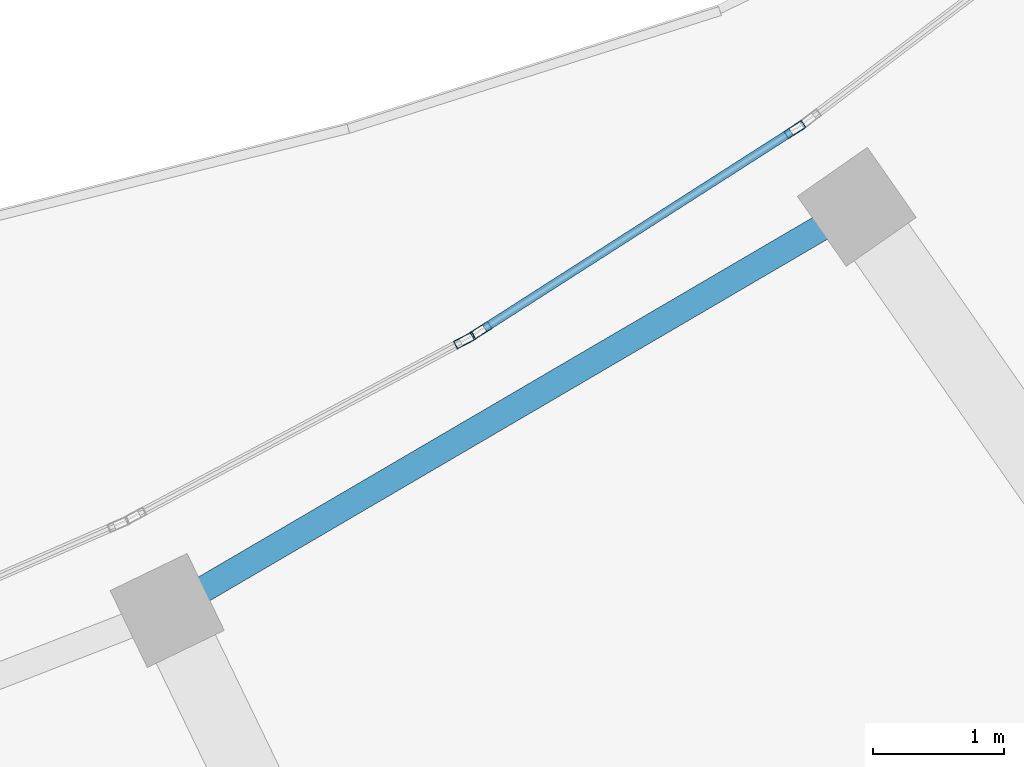
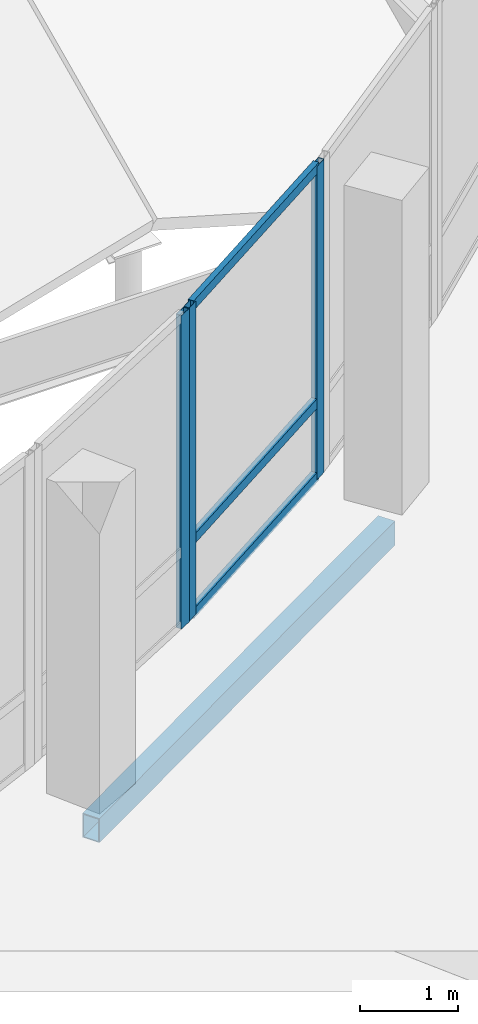
# One storey, part 42 of 184: 6 members, 1 beam, 2 elements without a shape of their own.
"""IFC4 building model written with IfcOpenShell, lengths in metres."""

import ifcopenshell
import ifcopenshell.guid

model = None  # the IFC model being written
_history = None  # IfcOwnerHistory: only IFC2X3 demands one
_inside = {}  # id of a spatial element -> (the spatial element, [elements in it])
_under = {}  # id of a project, library or spatial element -> (it, [spatial elements below it])
_declared = {}  # id of a project -> (the project, [libraries it declares])
_typed = {}  # id of a type object -> (the type object, [elements of that type])
_made_of = {}  # id of a material, layer set ... -> (it, [elements and type objects made of it])


def new_model(schema):
    """Start an empty IFC model of exactly this schema.

    Asked for "IFC4X3", IfcOpenShell would pick the latest addendum, in which some entities
    have other attributes; the version numbers below select the first issue.
    IFC2X3 requires an IfcOwnerHistory on every rooted entity: one is made here for all.
    """
    global model, _history
    if schema == "IFC4X3":
        model = ifcopenshell.file(schema_version=(4, 3, 0, 0))
    else:
        model = ifcopenshell.file(schema=schema)
    _inside.clear()
    _under.clear()
    _declared.clear()
    _typed.clear()
    _made_of.clear()
    _history = None
    if model.schema == "IFC2X3":
        org = make("IfcOrganization", Name="unknown")
        user = make(
            "IfcPersonAndOrganization",
            ThePerson=make("IfcPerson", FamilyName="unknown"),
            TheOrganization=org,
        )
        app = make(
            "IfcApplication",
            ApplicationDeveloper=org,
            Version="unknown",
            ApplicationFullName="unknown",
            ApplicationIdentifier="unknown",
        )
        _history = make(
            "IfcOwnerHistory",
            OwningUser=user,
            OwningApplication=app,
            ChangeAction="ADDED",
            CreationDate=0,
        )
    return model


def make(cls, **values):
    """One entity of the class cls with the attributes given. An attribute that is None is left unset."""
    return model.create_entity(
        cls, **{name: value for name, value in values.items() if value is not None}
    )


def rooted(cls, **values):
    """An entity with a GlobalId (a new one), such as an element, a storey or a relation."""
    return make(cls, GlobalId=ifcopenshell.guid.new(), OwnerHistory=_history, **values)


def si_unit(unit_type, name, prefix=None):
    """IfcSIUnit, for example si_unit("LENGTHUNIT", "METRE", prefix="MILLI")."""
    return make("IfcSIUnit", UnitType=unit_type, Prefix=prefix, Name=name)


def assignment(units):
    """IfcUnitAssignment: the units of a project."""
    return None if units is None else make("IfcUnitAssignment", Units=units)


def point(xyz):
    """IfcCartesianPoint."""
    return None if xyz is None else make("IfcCartesianPoint", Coordinates=xyz)


def direction(xyz):
    """IfcDirection."""
    return None if xyz is None else make("IfcDirection", DirectionRatios=xyz)


def frame(location, z_axis=None, x_axis=None):
    """IfcAxis2Placement3D, a coordinate frame: its origin and axes. An axis left out is left unset."""
    return make(
        "IfcAxis2Placement3D",
        Location=point(location),
        Axis=direction(z_axis),
        RefDirection=direction(x_axis),
    )


def frame_2d(location, x_axis=None):
    """IfcAxis2Placement2D, a coordinate frame in the plane: its origin and x axis."""
    return make(
        "IfcAxis2Placement2D", Location=point(location), RefDirection=direction(x_axis)
    )


def origin():
    """The frame at (0, 0, 0) with its axes left unset."""
    return frame((0.0, 0.0, 0.0))


def origin_2d():
    """The frame at (0, 0) in the plane with its x axis left unset."""
    return frame_2d((0.0, 0.0))


def place(relative_to, where):
    """IfcLocalPlacement: puts the frame where relative to a parent placement (None: the world)."""
    return make(
        "IfcLocalPlacement", PlacementRelTo=relative_to, RelativePlacement=where
    )


def context(
    kind, dimensions, precision=None, world=None, true_north=None, identifier=None
):
    """IfcGeometricRepresentationContext, for example the 3D "Model" context."""
    return make(
        "IfcGeometricRepresentationContext",
        ContextIdentifier=identifier,
        ContextType=kind,
        CoordinateSpaceDimension=dimensions,
        Precision=precision,
        WorldCoordinateSystem=world,
        TrueNorth=true_north,
    )


def subcontext(parent, identifier, kind, view, scale=None):
    """IfcGeometricRepresentationSubContext, for example "Body" below "Model"."""
    return make(
        "IfcGeometricRepresentationSubContext",
        ContextIdentifier=identifier,
        ContextType=kind,
        ParentContext=parent,
        TargetScale=scale,
        TargetView=view,
    )


def project(units=None, contexts=None):
    """IfcProject with its units and contexts."""
    return rooted(
        "IfcProject",
        Name="project",
        RepresentationContexts=contexts,
        UnitsInContext=assignment(units),
    )


def spatial(cls, under=None, at=None, **own):
    """A site, building, storey or space (cls), placed at a placement, below another one or the project."""
    s = rooted(cls, ObjectPlacement=at, **own)
    if under is not None:
        _under.setdefault(under.id(), (under, []))[1].append(s)
    return s


def profile(cls, at=None, kind="AREA", **sizes):
    """A parametric profile (cls). Its sizes go by their IFC names, for example OverallWidth=200.0."""
    return make(cls, ProfileType=kind, Position=at, **sizes)


def hollow_rectangle(**sizes):
    """IfcRectangleHollowProfileDef."""
    return profile("IfcRectangleHollowProfileDef", **sizes)


def extrude(swept, where, along, depth):
    """IfcExtrudedAreaSolid: the profile swept, set in the frame where, extruded along a direction by depth."""
    return make(
        "IfcExtrudedAreaSolid",
        SweptArea=swept,
        Position=where,
        ExtrudedDirection=direction(along),
        Depth=depth,
    )


def shape(context_of_items, identifier, shape_type, items):
    """IfcShapeRepresentation: the items that make up one representation, for example the "Body"."""
    return make(
        "IfcShapeRepresentation",
        ContextOfItems=context_of_items,
        RepresentationIdentifier=identifier,
        RepresentationType=shape_type,
        Items=items,
    )


def material(Name=None, Category=None):
    """IfcMaterial."""
    return make("IfcMaterial", Name=Name, Category=Category)


def material_profile(
    of_material, cross_section, Name=None, Category=None, Priority=None
):
    """IfcMaterialProfile: a cross section and its material."""
    return make(
        "IfcMaterialProfile",
        Name=Name,
        Material=of_material,
        Profile=cross_section,
        Priority=Priority,
        Category=Category,
    )


def profile_set(profiles, Name=None, composite=None):
    """IfcMaterialProfileSet."""
    return make(
        "IfcMaterialProfileSet",
        Name=Name,
        MaterialProfiles=profiles,
        CompositeProfile=composite,
    )


def made_of(thing, what):
    """Note that an element or type object is made of a material, layer set ...; save() writes the relation."""
    if what is not None:
        _made_of.setdefault(what.id(), (what, []))[1].append(thing)
    return thing


def type_object(cls, material=None, **own):
    """A type object (cls), such as IfcWallType, which elements share."""
    return made_of(rooted(cls, **own), material)


def element(
    cls,
    number,
    at=None,
    inside=None,
    cuts=None,
    type_object=None,
    material=None,
    context=None,
    identifier="Body",
    shape_type=None,
    held_by="IfcProductDefinitionShape",
    body=None,
    shapes=None,
    **own,
):
    """One element of the class cls, such as IfcWall. Its Tag is "e" and its number.

    at: its placement. inside: the storey or other place that contains it. cuts: it is an
    opening in that element (IfcRelVoidsElement). A single representation is given by context,
    identifier, shape_type and body (its items); several are given by shapes. held_by: the class
    of the entity that holds the representations. save() writes the other relations.
    """
    e = rooted(cls, Tag="e%d" % number, ObjectPlacement=at, **own)
    if body is not None:
        shapes = [shape(context, identifier, shape_type, body)]
    if shapes is not None:
        e.Representation = make(held_by, Representations=shapes)
    if inside is not None:
        _inside.setdefault(inside.id(), (inside, []))[1].append(e)
    if cuts is not None:
        rooted(
            "IfcRelVoidsElement", RelatingBuildingElement=cuts, RelatedOpeningElement=e
        )
    if type_object is not None:
        _typed.setdefault(type_object.id(), (type_object, []))[1].append(e)
    return made_of(e, material)


def aggregate(whole, parts):
    """IfcRelAggregates: a whole, such as a stair, and the parts it consists of."""
    return rooted("IfcRelAggregates", RelatingObject=whole, RelatedObjects=parts)


def save(model, path):
    """Write the relations noted so far, then the file.

    IfcRelAggregates (storeys below a building ...), IfcRelContainedInSpatialStructure (elements
    in a storey), IfcRelDefinesByType, IfcRelAssociatesMaterial and IfcRelDeclares: one each for
    every whole, place, type object, material and project.
    """
    for whole, parts in _under.values():
        aggregate(whole, parts)
    for where, things in _inside.values():
        rooted(
            "IfcRelContainedInSpatialStructure",
            RelatedElements=things,
            RelatingStructure=where,
        )
    for kind, things in _typed.values():
        rooted("IfcRelDefinesByType", RelatedObjects=things, RelatingType=kind)
    for what, things in _made_of.values():
        rooted("IfcRelAssociatesMaterial", RelatedObjects=things, RelatingMaterial=what)
    for by, libraries in _declared.values():
        rooted("IfcRelDeclares", RelatingContext=by, RelatedDefinitions=libraries)
    model.write(path)


model = new_model("IFC4")

# Units and contexts
model_context = context("Model", 3, precision=1e-05, world=origin(), true_north=direction((0.0, 1.0)))
body_context = subcontext(model_context, "Body", "Model", "MODEL_VIEW")
ifc_project = project(units=[si_unit("LENGTHUNIT", "METRE"), si_unit("AREAUNIT", "SQUARE_METRE"), si_unit("VOLUMEUNIT", "CUBIC_METRE"), si_unit("PLANEANGLEUNIT", "RADIAN"), si_unit("MASSUNIT", "GRAM", prefix="KILO")], contexts=[model_context])

# Site, building, storey
site_placement = place(None, origin())
site = spatial("IfcSite", under=ifc_project, at=site_placement, CompositionType="ELEMENT")
building_placement = place(site_placement, origin())
building = spatial("IfcBuilding", under=site, at=building_placement, Name="Selatvlak General Hospital", CompositionType="ELEMENT")
storey_placement = place(building_placement, frame((0.0, 0.0, 15.0)))
storey = spatial("IfcBuildingStorey", under=building, at=storey_placement, Name="L03", CompositionType="ELEMENT", Elevation=15.0)

# Beam
ifc_material_1 = material(Name="Steel S355", Category="steel")
ifc_material_profile_1 = material_profile(ifc_material_1, hollow_rectangle(XDim=0.199951171875, YDim=0.300048828125, WallThickness=0.011962890625, at=origin_2d()), Name="RHS 300x200x12")
ifc_profile_set_1 = profile_set([ifc_material_profile_1], Name="Steel S355")
beam_type = type_object("IfcBeamType", Name="BM-SP3", PredefinedType="SPANDREL", material=ifc_profile_set_1)
beam_placement = place(storey_placement, frame((72.639892578125, 45.06005859375, -0.489990234375), z_axis=(0.863043931414, 0.505128867172, 0.0), x_axis=(-0.505128867172, 0.863043931414, 0.0)))
element("IfcBeam", 1, at=beam_placement, inside=storey, type_object=beam_type, Name="Beam BMR-L03-1482", PredefinedType="SPANDREL", context=body_context, shape_type="SweptSolid", body=[
    extrude(hollow_rectangle(XDim=0.199951171875, YDim=0.300048828125, WallThickness=0.011962890625, at=origin_2d()), origin(), (0.0, 0.0, 1.0), 6.079833984375),
])

# Curtain wall, member
ifc_material_2 = material(Name="Solar-control Low-E double glazing", Category="glass")
curtain_wall_type_1 = type_object("IfcCurtainWallType", Name="CW-CW-02", PredefinedType="USERDEFINED", material=ifc_material_2)
curtain_wall_1_placement = place(storey_placement, origin())
curtain_wall_1 = element("IfcCurtainWall", 2, at=curtain_wall_1_placement, inside=storey, type_object=curtain_wall_type_1, Name="Glazed facade curtain wall CW-L03-0456", ObjectType="UNITISED CURTAIN WALL", PredefinedType="USERDEFINED")
ifc_material_3 = material(Name="Dark anodised aluminium mullion", Category="aluminium")
ifc_material_profile_2 = material_profile(ifc_material_3, hollow_rectangle(XDim=0.06494140625, YDim=0.159912109375, WallThickness=0.00390625, at=origin_2d()), Name="AL-MUL 65x160x4")
ifc_profile_set_2 = profile_set([ifc_material_profile_2], Name="Dark anodised aluminium mullion")
member_type_1 = type_object("IfcMemberType", Name="CWM-01", PredefinedType="MULLION", material=ifc_profile_set_2)
member_1_placement = place(storey_placement, frame((74.9033203125, 47.11572265625, 0.0), z_axis=(0.0, 0.0, 1.0), x_axis=(-0.470338020096, 0.88248634372, 0.0)))
member_1 = element("IfcMember", 3, at=member_1_placement, type_object=member_type_1, Name="CW-02 mullion 2", PredefinedType="MULLION", context=body_context, shape_type="SweptSolid", body=[
    extrude(hollow_rectangle(XDim=0.06494140625, YDim=0.159912109375, WallThickness=0.00390625, at=origin_2d()), origin(), (0.0, 0.0, 1.0), 3.89501953125),
])
aggregate(curtain_wall_1, [member_1])

# Curtain wall, members
curtain_wall_type_2 = type_object("IfcCurtainWallType", Name="CW-CW-01", PredefinedType="USERDEFINED", material=ifc_material_2)
curtain_wall_2_placement = place(storey_placement, origin())
curtain_wall_2 = element("IfcCurtainWall", 4, at=curtain_wall_2_placement, inside=storey, type_object=curtain_wall_type_2, Name="Glazed facade curtain wall CW-L03-0457", ObjectType="UNITISED CURTAIN WALL", PredefinedType="USERDEFINED")
member_2_placement = place(storey_placement, frame((75.02734375, 47.1904296875, 0.0), z_axis=(0.0, 0.0, 1.0), x_axis=(-0.539171082287, 0.842196262178, 0.0)))
member_2 = element("IfcMember", 5, at=member_2_placement, type_object=member_type_1, Name="CW-01 mullion 1", PredefinedType="MULLION", context=body_context, shape_type="SweptSolid", body=[
    extrude(hollow_rectangle(XDim=0.06494140625, YDim=0.159912109375, WallThickness=0.00390625, at=origin_2d()), origin(), (0.0, 0.0, 1.0), 3.89501953125),
])
member_3_placement = place(storey_placement, frame((77.41552734375, 48.719482421875, 0.0), z_axis=(0.0, 0.0, 1.0), x_axis=(-0.539171082287, 0.842196262178, 0.0)))
member_3 = element("IfcMember", 6, at=member_3_placement, type_object=member_type_1, Name="CW-01 mullion 2", PredefinedType="MULLION", context=body_context, shape_type="SweptSolid", body=[
    extrude(hollow_rectangle(XDim=0.06494140625, YDim=0.159912109375, WallThickness=0.00390625, at=origin_2d()), origin(), (0.0, 0.0, 1.0), 3.89501953125),
])
ifc_material_profile_3 = material_profile(ifc_material_3, hollow_rectangle(XDim=0.06494140625, YDim=0.1201171875, WallThickness=0.00390625, at=origin_2d()), Name="AL-TRN 65x120x4")
ifc_profile_set_3 = profile_set([ifc_material_profile_3], Name="Dark anodised aluminium mullion")
member_type_2 = type_object("IfcMemberType", Name="CWT-01", PredefinedType="USERDEFINED", material=ifc_profile_set_3)
member_4_placement = place(storey_placement, frame((75.0546875, 47.2080078125, 0.032470703125), z_axis=(0.842196180284, 0.539171210207, 0.0), x_axis=(-0.539171210207, 0.842196180284, 0.0)))
member_4 = element("IfcMember", 7, at=member_4_placement, type_object=member_type_2, Name="CW-01 transom 1.1", ObjectType="TRANSOM", PredefinedType="USERDEFINED", context=body_context, shape_type="SweptSolid", body=[
    extrude(hollow_rectangle(XDim=0.06494140625, YDim=0.1201171875, WallThickness=0.00390625, at=origin_2d()), origin(), (0.0, 0.0, 1.0), 2.770751953125),
])
member_5_placement = place(storey_placement, frame((75.0546875, 47.2080078125, 0.949951171875), z_axis=(0.842196180284, 0.539171210207, 0.0), x_axis=(-0.539171210207, 0.842196180284, 0.0)))
member_5 = element("IfcMember", 8, at=member_5_placement, type_object=member_type_2, Name="CW-01 transom 1.2", ObjectType="TRANSOM", PredefinedType="USERDEFINED", context=body_context, shape_type="SweptSolid", body=[
    extrude(hollow_rectangle(XDim=0.06494140625, YDim=0.1201171875, WallThickness=0.00390625, at=origin_2d()), origin(), (0.0, 0.0, 1.0), 2.770751953125),
])
member_6_placement = place(storey_placement, frame((75.0546875, 47.2080078125, 3.862548828125), z_axis=(0.842196180284, 0.539171210207, 0.0), x_axis=(-0.539171210207, 0.842196180284, 0.0)))
member_6 = element("IfcMember", 9, at=member_6_placement, type_object=member_type_2, Name="CW-01 transom 1.3", ObjectType="TRANSOM", PredefinedType="USERDEFINED", context=body_context, shape_type="SweptSolid", body=[
    extrude(hollow_rectangle(XDim=0.06494140625, YDim=0.1201171875, WallThickness=0.00390625, at=origin_2d()), origin(), (0.0, 0.0, 1.0), 2.770751953125),
])
aggregate(curtain_wall_2, [member_2, member_3, member_4, member_5, member_6])

save(model, "model.ifc")
